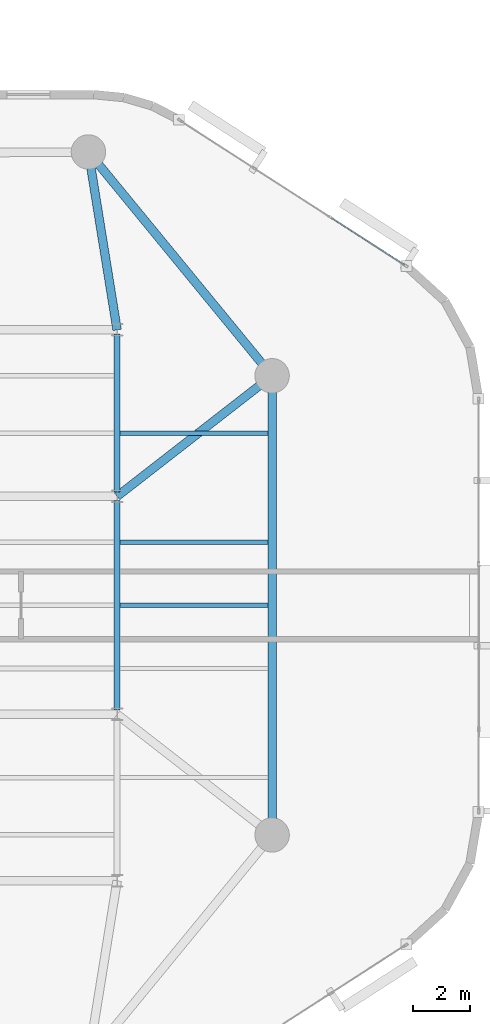
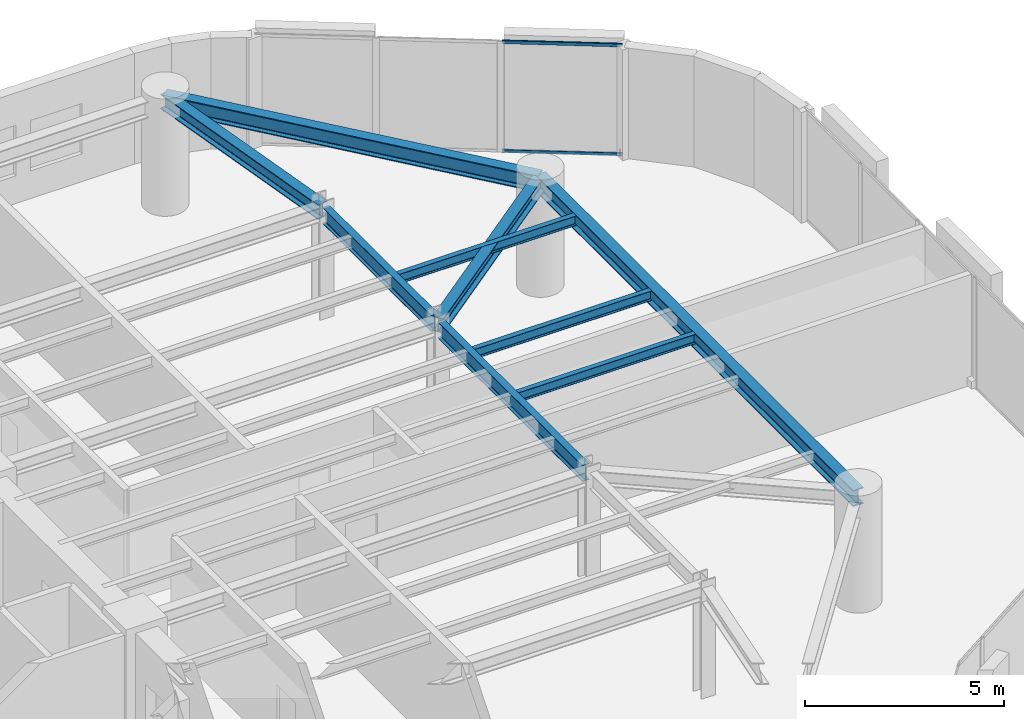
# One storey, part 4 of 15: 9 beams, 2 members, 1 element without a shape of its own.
"""IFC4 building model written with IfcOpenShell, lengths in metres."""

from ifc_helpers import new_model, si_unit, direction, frame, origin, origin_2d, place, context, subcontext, project, spatial, hollow_rectangle, i_section, extrude, material, layer, layer_set, material_profile, profile_set, type_object, element, aggregate, save


model = new_model("IFC4")

# Units and contexts
model_context = context("Model", 3, precision=1e-05, world=origin(), true_north=direction((0.0, 1.0)))
body_context = subcontext(model_context, "Body", "Model", "MODEL_VIEW")
ifc_project = project(units=[si_unit("LENGTHUNIT", "METRE"), si_unit("AREAUNIT", "SQUARE_METRE"), si_unit("VOLUMEUNIT", "CUBIC_METRE"), si_unit("PLANEANGLEUNIT", "RADIAN"), si_unit("MASSUNIT", "GRAM", prefix="KILO")], contexts=[model_context])

# Site, building, storey
site_placement = place(None, origin())
site = spatial("IfcSite", under=ifc_project, at=site_placement, CompositionType="ELEMENT")
building_placement = place(site_placement, origin())
building = spatial("IfcBuilding", under=site, at=building_placement, Name="An Khanh Terracotta Commons", CompositionType="ELEMENT")
storey_placement = place(building_placement, frame((0.0, 0.0, 176.199951171875)))
storey = spatial("IfcBuildingStorey", under=building, at=storey_placement, Name="L46", CompositionType="ELEMENT", Elevation=176.199951171875)

# Beams
ifc_material_1 = material(Name="Steel S355J2", Category="steel")
ifc_material_profile_1 = material_profile(ifc_material_1, i_section(OverallWidth=0.300048828125, OverallDepth=0.449951171875, WebThickness=0.013916015625, FlangeThickness=0.02587890625, FilletRadius=0.027099609375, at=origin_2d()), Name="HEB450")
ifc_profile_set_1 = profile_set([ifc_material_profile_1], Name="Steel S355J2")
beam_type_1 = type_object("IfcBeamType", Name="BM-HEB450", PredefinedType="BEAM", material=ifc_profile_set_1)
beam_1_placement = place(storey_placement, frame((55.800048828125, 32.0, 3.175048828125), z_axis=(-0.789363746927, -0.61392578952, 0.0), x_axis=(0.61392578952, -0.789363746927, 0.0)))
element("IfcBeam", 1, at=beam_1_placement, inside=storey, type_object=beam_type_1, Name="L46 Mega-Column Tie Girder 4", PredefinedType="BEAM", context=body_context, shape_type="SweptSolid", body=[
    extrude(i_section(OverallWidth=0.300048828125, OverallDepth=0.449951171875, WebThickness=0.013916015625, FlangeThickness=0.02587890625, FilletRadius=0.027099609375, at=origin_2d()), origin(), (0.0, 0.0, 1.0), 6.841064453125),
])
beam_2_placement = place(storey_placement, frame((49.39990234375, 39.800048828125, 3.175048828125), z_axis=(0.159233661074, -0.987240923575, 0.0), x_axis=(0.987240923575, 0.159233661074, 0.0)))
element("IfcBeam", 2, at=beam_2_placement, inside=storey, type_object=beam_type_1, Name="L46 Mega-Column Tie Girder 5", PredefinedType="BEAM", context=body_context, shape_type="SweptSolid", body=[
    extrude(i_section(OverallWidth=0.300048828125, OverallDepth=0.449951171875, WebThickness=0.013916015625, FlangeThickness=0.02587890625, FilletRadius=0.027099609375, at=origin_2d()), origin(), (0.0, 0.0, 1.0), 6.280029296875),
])
ifc_material_profile_2 = material_profile(ifc_material_1, i_section(OverallWidth=0.300048828125, OverallDepth=0.5, WebThickness=0.014404296875, FlangeThickness=0.028076171875, FilletRadius=0.027099609375, at=origin_2d()), Name="HEB500")
ifc_profile_set_2 = profile_set([ifc_material_profile_2], Name="Steel S355J2")
beam_type_2 = type_object("IfcBeamType", Name="BM-HEB500", PredefinedType="BEAM", material=ifc_profile_set_2)
beam_3_placement = place(storey_placement, frame((55.800048828125, 16.0, 3.150146484375), z_axis=(0.0, 1.0, 0.0), x_axis=(-1.0, 0.0, 0.0)))
element("IfcBeam", 3, at=beam_3_placement, inside=storey, type_object=beam_type_2, Name="L46 Perimeter Ring Spandrel 3", PredefinedType="BEAM", context=body_context, shape_type="SweptSolid", body=[
    extrude(i_section(OverallWidth=0.300048828125, OverallDepth=0.5, WebThickness=0.014404296875, FlangeThickness=0.028076171875, FilletRadius=0.027099609375, at=origin_2d()), origin(), (0.0, 0.0, 1.0), 16.0),
])
beam_4_placement = place(storey_placement, frame((55.800048828125, 32.0, 3.150146484375), z_axis=(-0.634322915223, 0.7730681983, 0.0), x_axis=(-0.7730681983, -0.634322915223, 0.0)))
element("IfcBeam", 4, at=beam_4_placement, inside=storey, type_object=beam_type_2, Name="L46 Perimeter Ring Spandrel 4", PredefinedType="BEAM", context=body_context, shape_type="SweptSolid", body=[
    extrude(i_section(OverallWidth=0.300048828125, OverallDepth=0.5, WebThickness=0.014404296875, FlangeThickness=0.028076171875, FilletRadius=0.027099609375, at=origin_2d()), origin(), (0.0, 0.0, 1.0), 10.08984375),
])
ifc_material_profile_3 = material_profile(ifc_material_1, i_section(OverallWidth=0.14990234375, OverallDepth=0.300048828125, WebThickness=0.007080078125, FlangeThickness=0.0107421875, FilletRadius=0.014892578125, at=origin_2d()), Name="IPE300")
ifc_profile_set_3 = profile_set([ifc_material_profile_3], Name="Steel S355J2")
beam_type_3 = type_object("IfcBeamType", Name="BM-IPE300", PredefinedType="JOIST", material=ifc_profile_set_3)
for number, where, z_axis, x_axis, name in (
    (5, (50.5, 24.0, 3.25), (1.0, 0.0, 0.0), (0.0, 1.0, 0.0), "L46 Riverfront Composite Joist 4"),
    (6, (50.5, 26.199951171875, 3.25), (1.0, 0.0, 0.0), (0.0, 1.0, 0.0), "L46 Riverfront Composite Joist 5"),
    (7, (50.5, 30.0, 3.25), (1.0, 0.0, 0.0), (0.0, 1.0, 0.0), "L46 Riverfront Composite Joist 6"),
):
    element("IfcBeam", number, at=place(storey_placement, frame(where, z_axis=z_axis, x_axis=x_axis)), inside=storey, type_object=beam_type_3, Name=name, PredefinedType="JOIST", context=body_context, shape_type="SweptSolid", body=[
        extrude(i_section(OverallWidth=0.14990234375, OverallDepth=0.300048828125, WebThickness=0.007080078125, FlangeThickness=0.0107421875, FilletRadius=0.014892578125, at=origin_2d()), origin(), (0.0, 0.0, 1.0), 5.14990234375),
    ])
ifc_material_profile_4 = material_profile(ifc_material_1, i_section(OverallWidth=0.199951171875, OverallDepth=0.5, WebThickness=0.01025390625, FlangeThickness=0.01611328125, FilletRadius=0.02099609375, at=origin_2d()), Name="IPE500")
ifc_profile_set_4 = profile_set([ifc_material_profile_4], Name="Steel S355J2")
beam_type_4 = type_object("IfcBeamType", Name="BM-IPE500", PredefinedType="BEAM", material=ifc_profile_set_4)
beam_5_placement = place(storey_placement, frame((50.39990234375, 20.35009765625, 3.150146484375), z_axis=(0.0, 1.0, 0.0), x_axis=(-1.0, 0.0, 0.0)))
element("IfcBeam", 8, at=beam_5_placement, inside=storey, type_object=beam_type_4, Name="L46 East Spine Girder 2", PredefinedType="BEAM", context=body_context, shape_type="SweptSolid", body=[
    extrude(i_section(OverallWidth=0.199951171875, OverallDepth=0.5, WebThickness=0.01025390625, FlangeThickness=0.01611328125, FilletRadius=0.02099609375, at=origin_2d()), origin(), (0.0, 0.0, 1.0), 7.2998046875),
])
beam_6_placement = place(storey_placement, frame((50.39990234375, 27.949951171875, 3.150146484375), z_axis=(0.0, 1.0, 0.0), x_axis=(-1.0, 0.0, 0.0)))
element("IfcBeam", 9, at=beam_6_placement, inside=storey, type_object=beam_type_4, Name="L46 East Spine Girder 3", PredefinedType="BEAM", context=body_context, shape_type="SweptSolid", body=[
    extrude(i_section(OverallWidth=0.199951171875, OverallDepth=0.5, WebThickness=0.01025390625, FlangeThickness=0.01611328125, FilletRadius=0.02099609375, at=origin_2d()), origin(), (0.0, 0.0, 1.0), 5.5),
])

# Curtain wall, members
ifc_material_2 = material(Name="Anodised Aluminium 6063-T6", Category="aluminium")
ifc_layer = layer(ifc_material_2, 0.2099609375, Name="Anodised Aluminium 6063-T6")
ifc_layer_set = layer_set([ifc_layer], Name="Anodised Aluminium 6063-T6")
curtain_wall_type = type_object("IfcCurtainWallType", Name="CW-SYS-03", PredefinedType="USERDEFINED", material=ifc_layer_set)
curtain_wall_placement = place(storey_placement, origin())
curtain_wall = element("IfcCurtainWall", 10, at=curtain_wall_placement, inside=storey, type_object=curtain_wall_type, Name="L46 CW-03 Unitised Curtain Wall CW-L46-16", ObjectType="UNITISED CURTAIN WALL", PredefinedType="USERDEFINED")
ifc_material_profile_5 = material_profile(ifc_material_2, hollow_rectangle(XDim=0.050048828125, YDim=0.10009765625, WallThickness=0.003173828125, InnerFilletRadius=0.003173828125, OuterFilletRadius=0.00634765625, at=origin_2d()), Name="RHS100x50x3.2")
ifc_profile_set_5 = profile_set([ifc_material_profile_5], Name="Anodised Aluminium 6063-T6")
member_type = type_object("IfcMemberType", Name="CWT-RHS100x50x3.2", PredefinedType="USERDEFINED", material=ifc_profile_set_5)
member_1_placement = place(storey_placement, frame((60.419189453125, 35.86181640625, 0.025146484375), z_axis=(-0.840673595852, 0.541542154626, 0.0), x_axis=(-0.541542154626, -0.840673595852, 0.0)))
member_1 = element("IfcMember", 11, at=member_1_placement, type_object=member_type, Name="CW-03 transom 1.1", ObjectType="TRANSOM", PredefinedType="USERDEFINED", context=body_context, shape_type="SweptSolid", body=[
    extrude(hollow_rectangle(XDim=0.050048828125, YDim=0.10009765625, WallThickness=0.003173828125, InnerFilletRadius=0.003173828125, OuterFilletRadius=0.00634765625, at=origin_2d()), origin(), (0.0, 0.0, 1.0), 3.034423828125),
])
member_2_placement = place(storey_placement, frame((60.419189453125, 35.86181640625, 3.375), z_axis=(-0.840673595852, 0.541542154626, 0.0), x_axis=(-0.541542154626, -0.840673595852, 0.0)))
member_2 = element("IfcMember", 12, at=member_2_placement, type_object=member_type, Name="CW-03 transom 1.2", ObjectType="TRANSOM", PredefinedType="USERDEFINED", context=body_context, shape_type="SweptSolid", body=[
    extrude(hollow_rectangle(XDim=0.050048828125, YDim=0.10009765625, WallThickness=0.003173828125, InnerFilletRadius=0.003173828125, OuterFilletRadius=0.00634765625, at=origin_2d()), origin(), (0.0, 0.0, 1.0), 3.034423828125),
])
aggregate(curtain_wall, [member_1, member_2])

save(model, "model.ifc")
